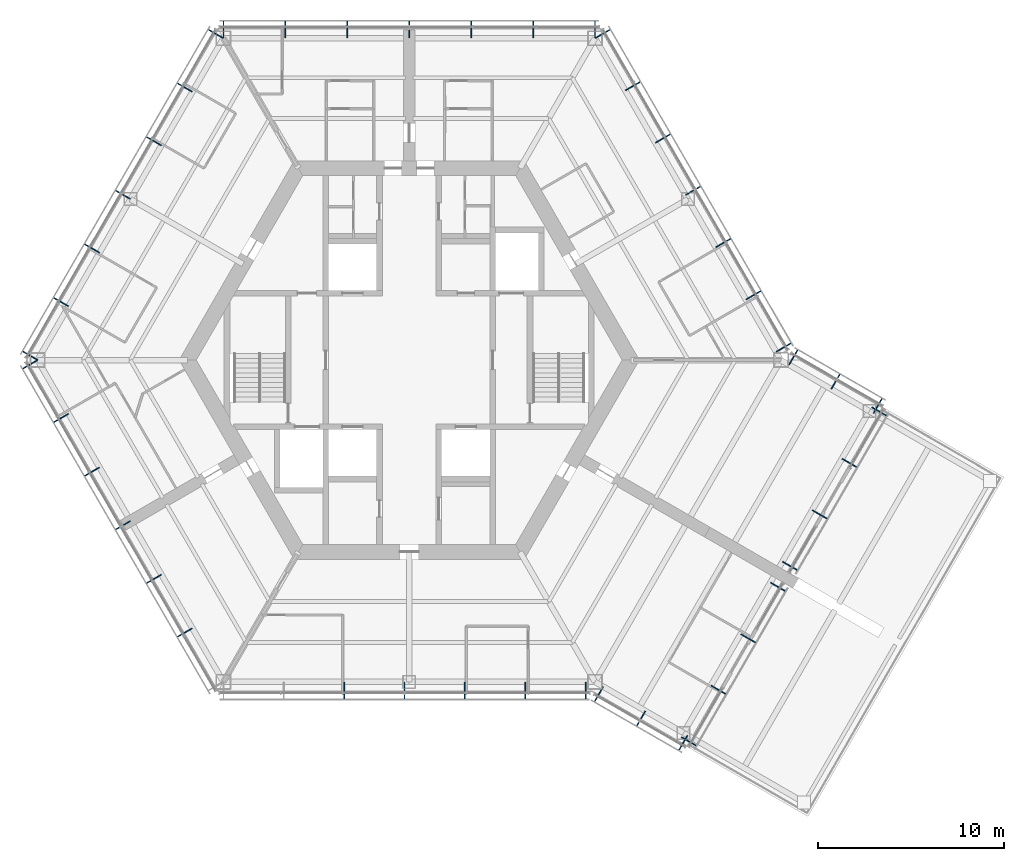
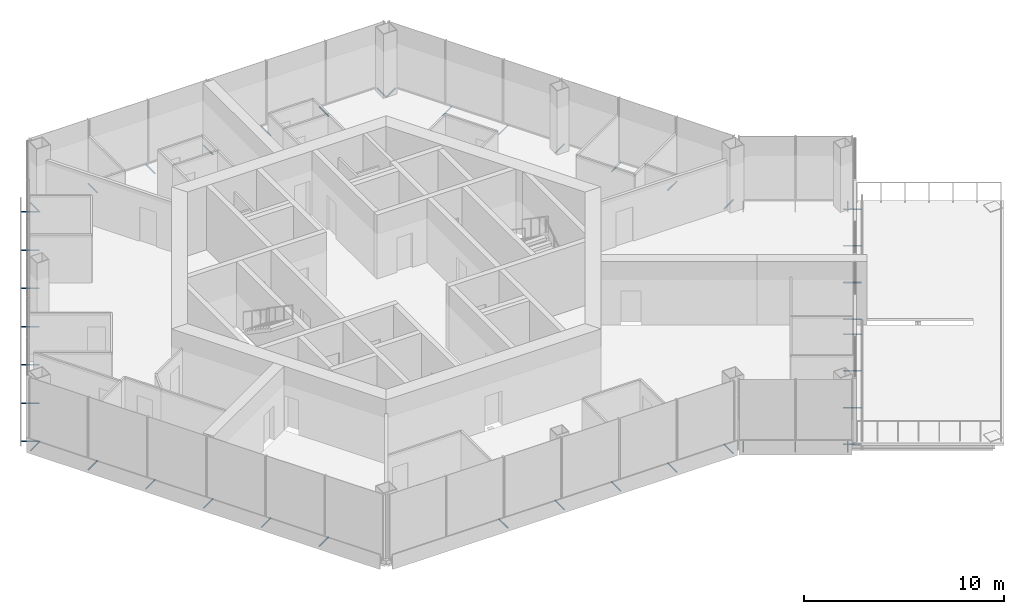
# One storey, part 11 of 13: 46 discrete accessories.
"""IFC4 building model written with IfcOpenShell, lengths in metres."""

from ifc_helpers import new_model, si_unit, direction, frame, origin, origin_2d, place, context, subcontext, project, spatial, hollow_circle, extrude, material, material_profile, profile_set, type_object, element, save


model = new_model("IFC4")

# Units and contexts
model_context = context("Model", 3, precision=1e-05, world=origin(), true_north=direction((0.0, 1.0)))
body_context = subcontext(model_context, "Body", "Model", "MODEL_VIEW")
ifc_project = project(units=[si_unit("LENGTHUNIT", "METRE"), si_unit("AREAUNIT", "SQUARE_METRE"), si_unit("VOLUMEUNIT", "CUBIC_METRE"), si_unit("PLANEANGLEUNIT", "RADIAN"), si_unit("MASSUNIT", "GRAM", prefix="KILO")], contexts=[model_context])

# Site, building, storey
site_placement = place(None, origin())
site = spatial("IfcSite", under=ifc_project, at=site_placement, CompositionType="ELEMENT")
building_placement = place(site_placement, origin())
building = spatial("IfcBuilding", under=site, at=building_placement, Name="Kasaneha Research Tower", CompositionType="ELEMENT")
storey_placement = place(building_placement, frame((0.0, 0.0, 267.39990234375)))
storey = spatial("IfcBuildingStorey", under=building, at=storey_placement, Name="L67", CompositionType="ELEMENT", Elevation=267.39990234375)

# Discrete accessories
ifc_material = material(Name="Steel STK400", Category="steel")
ifc_material_profile = material_profile(ifc_material, hollow_circle(Radius=0.0380859375, WallThickness=0.00390625, at=origin_2d()), Name="CHS-76.3x4.0")
ifc_profile_set = profile_set([ifc_material_profile], Name="Steel STK400")
discrete_accessory_type = type_object("IfcDiscreteAccessoryType", Name="Screen bracket CHS-76.3x4.0", PredefinedType="BRACKET", material=ifc_profile_set)
for number, where, z_axis, x_axis, name in (
    (1, (19.74462890625, 0.4423828125, -0.2998046875), (0.866013213425, 0.500021113727, 0.0), (-0.500021113727, 0.866013213425, 0.0), "Screen bracket 1"),
    (2, (18.120849609375, 3.2548828125, -0.2998046875), (0.866013213425, 0.500021113727, 0.0), (-0.500021113727, 0.866013213425, 0.0), "Screen bracket 2"),
    (3, (16.4970703125, 6.0673828125, -0.2998046875), (0.866013213425, 0.500021113727, 0.0), (-0.500021113727, 0.866013213425, 0.0), "Screen bracket 3"),
    (4, (14.873291015625, 8.8798828125, -0.2998046875), (0.866013213425, 0.500021113727, 0.0), (-0.500021113727, 0.866013213425, 0.0), "Screen bracket 4"),
    (5, (13.24951171875, 11.6923828125, -0.2998046875), (0.866013213425, 0.500021113727, 0.0), (-0.500021113727, 0.866013213425, 0.0), "Screen bracket 5"),
):
    element("IfcDiscreteAccessory", number, at=place(storey_placement, frame(where, z_axis=z_axis, x_axis=x_axis)), inside=storey, type_object=discrete_accessory_type, Name=name, PredefinedType="BRACKET", context=body_context, shape_type="SweptSolid", body=[
        extrude(hollow_circle(Radius=0.0380859375, WallThickness=0.00390625, at=origin_2d()), origin(), (0.0, 0.0, 1.0), 0.919921875),
    ])
for number, where, z_axis, x_axis, name in (
    (6, (11.62548828125, 14.5048828125, -0.2998046875), (0.866079547155, 0.499906209203, 0.0), (-0.499906209203, 0.866079547155, 0.0), "Screen bracket 6"),
    (7, (10.001708984375, 17.3173828125, -0.2998046875), (0.866079547155, 0.499906209203, 0.0), (-0.499906209203, 0.866079547155, 0.0), "Screen bracket 7"),
):
    element("IfcDiscreteAccessory", number, at=place(storey_placement, frame(where, z_axis=z_axis, x_axis=x_axis)), inside=storey, type_object=discrete_accessory_type, Name=name, PredefinedType="BRACKET", context=body_context, shape_type="SweptSolid", body=[
        extrude(hollow_circle(Radius=0.0380859375, WallThickness=0.00390625, at=origin_2d()), origin(), (0.0, 0.0, 1.0), 0.920166015625),
    ])
for number, where, z_axis, x_axis, name in (
    (8, (9.996337890625, 17.320556640625, -0.2998046875), (0.0, 1.0, 0.0), (-1.0, 0.0, 0.0), "Screen bracket 1"),
    (9, (6.664306640625, 17.320556640625, -0.2998046875), (0.0, 1.0, 0.0), (-1.0, 0.0, 0.0), "Screen bracket 2"),
    (10, (3.33203125, 17.320556640625, -0.2998046875), (0.0, 1.0, 0.0), (-1.0, 0.0, 0.0), "Screen bracket 3"),
    (11, (0.0, 17.320556640625, -0.2998046875), (0.0, 1.0, 0.0), (-1.0, 0.0, 0.0), "Screen bracket 4"),
    (12, (-3.33203125, 17.320556640625, -0.2998046875), (0.0, 1.0, 0.0), (-1.0, 0.0, 0.0), "Screen bracket 5"),
    (13, (-6.664306640625, 17.320556640625, -0.2998046875), (0.0, 1.0, 0.0), (-1.0, 0.0, 0.0), "Screen bracket 6"),
    (14, (-9.996337890625, 17.320556640625, -0.2998046875), (0.0, 1.0, 0.0), (-1.0, 0.0, 0.0), "Screen bracket 7"),
):
    element("IfcDiscreteAccessory", number, at=place(storey_placement, frame(where, z_axis=z_axis, x_axis=x_axis)), inside=storey, type_object=discrete_accessory_type, Name=name, PredefinedType="BRACKET", context=body_context, shape_type="SweptSolid", body=[
        extrude(hollow_circle(Radius=0.0380859375, WallThickness=0.00390625, at=origin_2d()), origin(), (0.0, 0.0, 1.0), 0.919921875),
    ])
discrete_accessory_1_placement = place(storey_placement, frame((-10.001708984375, 17.3173828125, -0.2998046875), z_axis=(-0.866079547155, 0.499906209203, 0.0), x_axis=(-0.499906209203, -0.866079547155, 0.0)))
element("IfcDiscreteAccessory", 15, at=discrete_accessory_1_placement, inside=storey, type_object=discrete_accessory_type, Name="Screen bracket 1", PredefinedType="BRACKET", context=body_context, shape_type="SweptSolid", body=[
    extrude(hollow_circle(Radius=0.0380859375, WallThickness=0.00390625, at=origin_2d()), origin(), (0.0, 0.0, 1.0), 0.920166015625),
])
for number, where, z_axis, x_axis, name in (
    (16, (-11.66796875, 14.431640625, -0.2998046875), (-0.866013213425, 0.500021113727, 0.0), (-0.500021113727, -0.866013213425, 0.0), "Screen bracket 2"),
    (17, (-13.333984375, 11.5458984375, -0.2998046875), (-0.866013213425, 0.500021113727, 0.0), (-0.500021113727, -0.866013213425, 0.0), "Screen bracket 3"),
    (18, (-15.0, 8.66015625, -0.2998046875), (-0.865898279276, 0.500220121494, 0.0), (-0.500220121494, -0.865898279276, 0.0), "Screen bracket 4"),
):
    element("IfcDiscreteAccessory", number, at=place(storey_placement, frame(where, z_axis=z_axis, x_axis=x_axis)), inside=storey, type_object=discrete_accessory_type, Name=name, PredefinedType="BRACKET", context=body_context, shape_type="SweptSolid", body=[
        extrude(hollow_circle(Radius=0.0380859375, WallThickness=0.00390625, at=origin_2d()), origin(), (0.0, 0.0, 1.0), 0.919921875),
    ])
for number, where, z_axis, x_axis, name in (
    (19, (-16.666015625, 5.774658203125, -0.2998046875), (-0.866079547155, 0.499906209203, 0.0), (-0.499906209203, -0.866079547155, 0.0), "Screen bracket 5"),
    (20, (-18.33203125, 2.888916015625, -0.2998046875), (-0.866079547155, 0.499906209203, 0.0), (-0.499906209203, -0.866079547155, 0.0), "Screen bracket 6"),
):
    element("IfcDiscreteAccessory", number, at=place(storey_placement, frame(where, z_axis=z_axis, x_axis=x_axis)), inside=storey, type_object=discrete_accessory_type, Name=name, PredefinedType="BRACKET", context=body_context, shape_type="SweptSolid", body=[
        extrude(hollow_circle(Radius=0.0380859375, WallThickness=0.00390625, at=origin_2d()), origin(), (0.0, 0.0, 1.0), 0.920166015625),
    ])
for number, where, z_axis, x_axis, name in (
    (21, (-19.998291015625, 0.003173828125, -0.2998046875), (-0.866013213425, 0.500021113727, 0.0), (-0.500021113727, -0.866013213425, 0.0), "Screen bracket 7"),
    (22, (-19.998291015625, -0.003173828125, -0.2998046875), (-0.866013213425, -0.500021113727, 0.0), (0.500021113727, -0.866013213425, 0.0), "Screen bracket 1"),
):
    element("IfcDiscreteAccessory", number, at=place(storey_placement, frame(where, z_axis=z_axis, x_axis=x_axis)), inside=storey, type_object=discrete_accessory_type, Name=name, PredefinedType="BRACKET", context=body_context, shape_type="SweptSolid", body=[
        extrude(hollow_circle(Radius=0.0380859375, WallThickness=0.00390625, at=origin_2d()), origin(), (0.0, 0.0, 1.0), 0.919921875),
    ])
for number, where, z_axis, x_axis, name in (
    (23, (-18.33203125, -2.888916015625, -0.2998046875), (-0.866079547155, -0.499906209203, 0.0), (0.499906209203, -0.866079547155, 0.0), "Screen bracket 2"),
    (24, (-16.666015625, -5.774658203125, -0.2998046875), (-0.866079547155, -0.499906209203, 0.0), (0.499906209203, -0.866079547155, 0.0), "Screen bracket 3"),
):
    element("IfcDiscreteAccessory", number, at=place(storey_placement, frame(where, z_axis=z_axis, x_axis=x_axis)), inside=storey, type_object=discrete_accessory_type, Name=name, PredefinedType="BRACKET", context=body_context, shape_type="SweptSolid", body=[
        extrude(hollow_circle(Radius=0.0380859375, WallThickness=0.00390625, at=origin_2d()), origin(), (0.0, 0.0, 1.0), 0.920166015625),
    ])
for number, where, z_axis, x_axis, name in (
    (25, (-15.0, -8.66015625, -0.2998046875), (-0.865898279276, -0.500220121494, 0.0), (0.500220121494, -0.865898279276, 0.0), "Screen bracket 4"),
    (26, (-13.333984375, -11.5458984375, -0.2998046875), (-0.866013213425, -0.500021113727, 0.0), (0.500021113727, -0.866013213425, 0.0), "Screen bracket 5"),
    (27, (-11.66796875, -14.431640625, -0.2998046875), (-0.866013213425, -0.500021113727, 0.0), (0.500021113727, -0.866013213425, 0.0), "Screen bracket 6"),
    (28, (-3.501220703125, -17.320556640625, -0.2998046875), (0.0, -1.0, 0.0), (1.0, 0.0, 0.0), "Screen bracket 3"),
    (29, (-0.253662109375, -17.320556640625, -0.2998046875), (0.0, -1.0, 0.0), (1.0, 0.0, 0.0), "Screen bracket 4"),
    (30, (2.993896484375, -17.320556640625, -0.2998046875), (0.0, -1.0, 0.0), (1.0, 0.0, 0.0), "Screen bracket 5"),
    (31, (6.24169921875, -17.320556640625, -0.2998046875), (0.0, -1.0, 0.0), (1.0, 0.0, 0.0), "Screen bracket 6"),
    (32, (9.4892578125, -17.320556640625, -0.2998046875), (0.0, -1.0, 0.0), (1.0, 0.0, 0.0), "Screen bracket 7"),
    (33, (10.4423828125, -17.575927734375, -0.2998046875), (-0.500021113727, -0.866013213425, 0.0), (0.866013213425, -0.500021113727, 0.0), "Screen bracket 1"),
    (34, (12.7109375, -18.8857421875, -0.2998046875), (-0.500021113727, -0.866013213425, 0.0), (0.866013213425, -0.500021113727, 0.0), "Screen bracket 2"),
    (35, (14.979736328125, -20.195556640625, -0.2998046875), (-0.500220121494, -0.865898279276, 0.0), (0.865898279276, -0.500220121494, 0.0), "Screen bracket 3"),
    (36, (14.63818359375, -20.287109375, -0.2998046875), (0.866013213425, -0.500021113727, 0.0), (0.500021113727, 0.866013213425, 0.0), "Screen bracket 1"),
):
    element("IfcDiscreteAccessory", number, at=place(storey_placement, frame(where, z_axis=z_axis, x_axis=x_axis)), inside=storey, type_object=discrete_accessory_type, Name=name, PredefinedType="BRACKET", context=body_context, shape_type="SweptSolid", body=[
        extrude(hollow_circle(Radius=0.0380859375, WallThickness=0.00390625, at=origin_2d()), origin(), (0.0, 0.0, 1.0), 0.919921875),
    ])
discrete_accessory_2_placement = place(storey_placement, frame((16.238037109375, -17.515625, -0.2998046875), z_axis=(0.865964657013, -0.500105201737, 0.0), x_axis=(0.500105201737, 0.865964657013, 0.0)))
element("IfcDiscreteAccessory", 37, at=discrete_accessory_2_placement, inside=storey, type_object=discrete_accessory_type, Name="Screen bracket 2", PredefinedType="BRACKET", context=body_context, shape_type="SweptSolid", body=[
    extrude(hollow_circle(Radius=0.0380859375, WallThickness=0.00390625, at=origin_2d()), origin(), (0.0, 0.0, 1.0), 0.920166015625),
])
for number, where, z_axis, x_axis, name in (
    (38, (17.838134765625, -14.744384765625, -0.2998046875), (0.866013213425, -0.500021113727, 0.0), (0.500021113727, 0.866013213425, 0.0), "Screen bracket 3"),
    (39, (19.438232421875, -11.97314453125, -0.2998046875), (0.866013213425, -0.500021113727, 0.0), (0.500021113727, 0.866013213425, 0.0), "Screen bracket 4"),
    (40, (20.088134765625, -10.847412109375, -0.2998046875), (0.866013213425, -0.500021113727, 0.0), (0.500021113727, 0.866013213425, 0.0), "Screen bracket 1"),
    (41, (21.688232421875, -8.076171875, -0.2998046875), (0.866013213425, -0.500021113727, 0.0), (0.500021113727, 0.866013213425, 0.0), "Screen bracket 2"),
):
    element("IfcDiscreteAccessory", number, at=place(storey_placement, frame(where, z_axis=z_axis, x_axis=x_axis)), inside=storey, type_object=discrete_accessory_type, Name=name, PredefinedType="BRACKET", context=body_context, shape_type="SweptSolid", body=[
        extrude(hollow_circle(Radius=0.0380859375, WallThickness=0.00390625, at=origin_2d()), origin(), (0.0, 0.0, 1.0), 0.919921875),
    ])
discrete_accessory_3_placement = place(storey_placement, frame((23.2880859375, -5.3046875, -0.2998046875), z_axis=(0.865964657013, -0.500105201737, 0.0), x_axis=(0.500105201737, 0.865964657013, 0.0)))
element("IfcDiscreteAccessory", 42, at=discrete_accessory_3_placement, inside=storey, type_object=discrete_accessory_type, Name="Screen bracket 3", PredefinedType="BRACKET", context=body_context, shape_type="SweptSolid", body=[
    extrude(hollow_circle(Radius=0.0380859375, WallThickness=0.00390625, at=origin_2d()), origin(), (0.0, 0.0, 1.0), 0.920166015625),
])
for number, where, z_axis, x_axis, name in (
    (43, (24.88818359375, -2.533447265625, -0.2998046875), (0.866013213425, -0.500021113727, 0.0), (0.500021113727, 0.866013213425, 0.0), "Screen bracket 4"),
    (44, (24.979736328125, -2.875, -0.2998046875), (0.500021113727, 0.866013213425, 0.0), (-0.866013213425, 0.500021113727, 0.0), "Screen bracket 1"),
    (45, (22.7109375, -1.565185546875, -0.2998046875), (0.500021113727, 0.866013213425, 0.0), (-0.866013213425, 0.500021113727, 0.0), "Screen bracket 2"),
    (46, (20.4423828125, -0.25537109375, -0.2998046875), (0.500021113727, 0.866013213425, 0.0), (-0.866013213425, 0.500021113727, 0.0), "Screen bracket 3"),
):
    element("IfcDiscreteAccessory", number, at=place(storey_placement, frame(where, z_axis=z_axis, x_axis=x_axis)), inside=storey, type_object=discrete_accessory_type, Name=name, PredefinedType="BRACKET", context=body_context, shape_type="SweptSolid", body=[
        extrude(hollow_circle(Radius=0.0380859375, WallThickness=0.00390625, at=origin_2d()), origin(), (0.0, 0.0, 1.0), 0.919921875),
    ])

save(model, "model.ifc")
